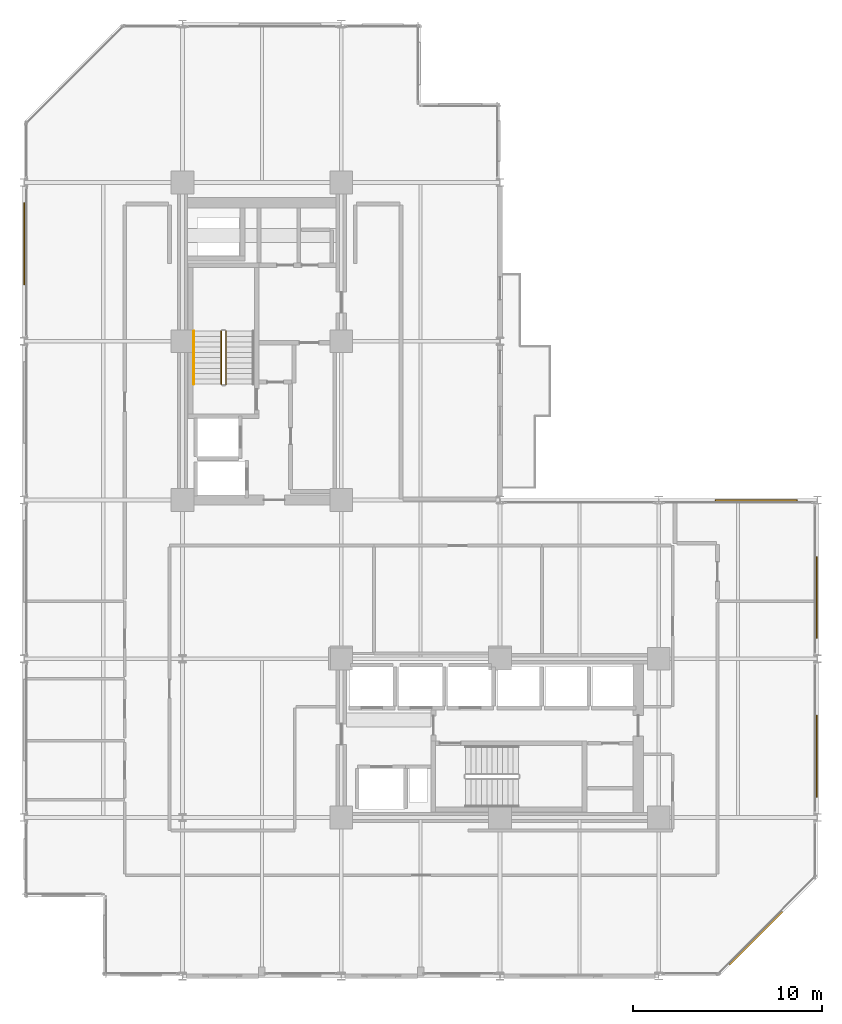
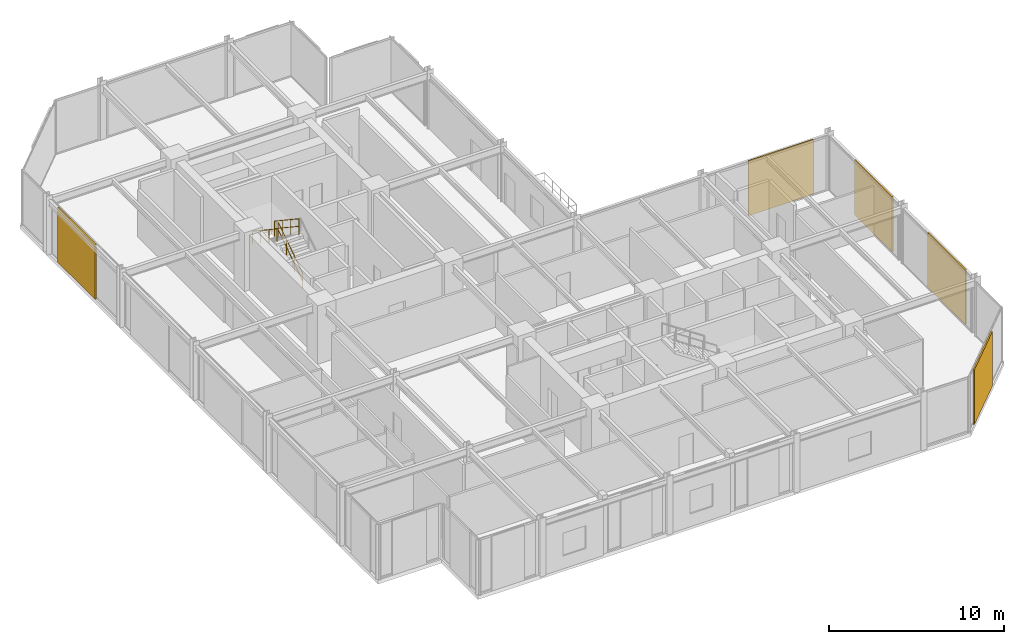
# One storey, part 28 of 29: 5 coverings, 3 railings.
"""IFC4 building model written with IfcOpenShell, lengths in metres."""

from ifc_helpers import new_model, si_unit, direction, frame, origin, origin_2d, place, context, subcontext, project, spatial, rectangle, circle, extrude, material, layer, layer_set, type_object, element, save


model = new_model("IFC4")

# Units and contexts
model_context = context("Model", 3, precision=1e-05, world=origin(), true_north=direction((0.0, 1.0)))
body_context = subcontext(model_context, "Body", "Model", "MODEL_VIEW")
ifc_project = project(units=[si_unit("LENGTHUNIT", "METRE"), si_unit("AREAUNIT", "SQUARE_METRE"), si_unit("VOLUMEUNIT", "CUBIC_METRE"), si_unit("PLANEANGLEUNIT", "RADIAN"), si_unit("MASSUNIT", "GRAM", prefix="KILO")], contexts=[model_context])

# Site, building, storey
site_placement = place(None, origin())
site = spatial("IfcSite", under=ifc_project, at=site_placement, CompositionType="ELEMENT")
building_placement = place(site_placement, origin())
building = spatial("IfcBuilding", under=site, at=building_placement, Name="Nerrivon Quay Data Exchange", CompositionType="ELEMENT")
storey_placement = place(building_placement, frame((0.0, 0.0, 145.89990234375)))
storey = spatial("IfcBuildingStorey", under=building, at=storey_placement, Name="L34", CompositionType="ELEMENT", Elevation=145.89990234375)

# Coverings
ifc_material_1 = material(Name="Architectural terracotta ceramic", Category="masonry")
ifc_layer = layer(ifc_material_1, 0.090087890625)
ifc_layer_set = layer_set([ifc_layer], Name="Architectural terracotta ceramic")
covering_type = type_object("IfcCoveringType", Name="COV-SCR-TERR", PredefinedType="CLADDING", material=ifc_layer_set)
covering_placement = place(storey_placement, frame((38.744140625, 2.0078125, 0.0), z_axis=(0.0, 0.0, 1.0), x_axis=(-0.707106781187, -0.707106781187, 0.0)))
element("IfcCovering", 1, at=covering_placement, inside=storey, type_object=covering_type, Name="L34 Perforated Terracotta SOLAR SCREEN Cassette", PredefinedType="CLADDING", context=body_context, shape_type="SweptSolid", body=[
    extrude(rectangle(XDim=3.970947265625, YDim=0.090087890625, at=origin_2d()), origin(), (0.0, 0.0, 1.0), 3.824951171875),
])
for number, where, z_axis, x_axis, name in (
    (2, (0.044921875, 38.760009765625, 0.0), (0.0, 0.0, 1.0), (0.0, 1.0, 0.0), "L34 Perforated Terracotta SOLAR SCREEN Cassette"),
    (3, (38.760009765625, 25.155029296875, 0.0), (0.0, 0.0, 1.0), (1.0, 0.0, 0.0), "L34 Perforated Terracotta SOLAR SCREEN Cassette"),
    (4, (41.955078125, 20.0400390625, 0.0), (0.0, 0.0, 1.0), (0.0, -1.0, 0.0), "L34 Perforated Terracotta SOLAR SCREEN Cassette"),
    (5, (41.955078125, 11.639892578125, 0.0), (0.0, 0.0, 1.0), (0.0, -1.0, 0.0), "L34 Perforated Terracotta SOLAR SCREEN Cassette"),
):
    element("IfcCovering", number, at=place(storey_placement, frame(where, z_axis=z_axis, x_axis=x_axis)), inside=storey, type_object=covering_type, Name=name, PredefinedType="CLADDING", context=body_context, shape_type="SweptSolid", body=[
        extrude(rectangle(XDim=4.320068359375, YDim=0.090087890625, at=origin_2d()), origin(), (0.0, 0.0, 1.0), 3.824951171875),
    ])

# Railings
ifc_material_2 = material(Name="Steel Grade C350L0 (350 MPa)", Category="steel")
railing_type_1 = type_object("IfcRailingType", Name="RAIL-HAND-HR1", PredefinedType="HANDRAIL", material=ifc_material_2)
railing_1_placement = place(storey_placement, frame((9.0, 34.1298828125, 2.236572265625)))
element("IfcRailing", 6, at=railing_1_placement, inside=storey, type_object=railing_type_1, Name="L34 ST01 stair handrail 2", PredefinedType="HANDRAIL", context=body_context, shape_type="SweptSolid", body=[
    extrude(circle(Radius=0.02392578125, at=origin_2d()), frame((0.0, 0.0, 0.8759765625), z_axis=(0.0, -0.832463268671, 0.554080234545), x_axis=(1.0, 0.0, 0.0)), (0.0, 0.0, 1.0), 3.36328125),
    extrude(circle(Radius=0.02099609375, at=origin_2d()), origin(), (0.0, 0.0, 1.0), 0.851806640625),
    extrude(circle(Radius=0.02099609375, at=origin_2d()), frame((0.0, -0.933349609375, 0.62109375)), (0.0, 0.0, 1.0), 0.851806640625),
    extrude(circle(Radius=0.02099609375, at=origin_2d()), frame((0.0, -1.866455078125, 1.242431640625)), (0.0, 0.0, 1.0), 0.851806640625),
    extrude(circle(Radius=0.02099609375, at=origin_2d()), frame((0.0, -2.7998046875, 1.863525390625)), (0.0, 0.0, 1.0), 0.851806640625),
])
railing_type_2 = type_object("IfcRailingType", Name="RAIL-STAIR-GR1", PredefinedType="BALUSTRADE", material=ifc_material_2)
railing_2_placement = place(storey_placement, frame((10.699951171875, 31.330078125, 0.1865234375)))
element("IfcRailing", 7, at=railing_2_placement, inside=storey, type_object=railing_type_2, Name="L34 ST01 stair guard 1", PredefinedType="BALUSTRADE", context=body_context, shape_type="SweptSolid", body=[
    extrude(circle(Radius=0.02392578125, at=origin_2d()), frame((0.0, 0.0, 1.076171875), z_axis=(0.0, 0.832463268671, 0.554080234545), x_axis=(-1.0, 0.0, 0.0)), (0.0, 0.0, 1.0), 3.36328125),
    extrude(circle(Radius=0.02392578125, at=origin_2d()), frame((0.0, 0.0, 0.550048828125), z_axis=(0.0, 0.832463268671, 0.554080234545), x_axis=(-1.0, 0.0, 0.0)), (0.0, 0.0, 1.0), 3.36328125),
    extrude(circle(Radius=0.02099609375, at=origin_2d()), origin(), (0.0, 0.0, 1.0), 1.052001953125),
    extrude(circle(Radius=0.02099609375, at=origin_2d()), frame((0.0, 0.933349609375, 0.62109375)), (0.0, 0.0, 1.0), 1.052001953125),
    extrude(circle(Radius=0.02099609375, at=origin_2d()), frame((0.0, 1.866455078125, 1.242431640625)), (0.0, 0.0, 1.0), 1.052001953125),
    extrude(circle(Radius=0.02099609375, at=origin_2d()), frame((0.0, 2.7998046875, 1.863525390625)), (0.0, 0.0, 1.0), 1.052001953125),
])
railing_3_placement = place(storey_placement, frame((10.449951171875, 34.1298828125, 2.236572265625)))
element("IfcRailing", 8, at=railing_3_placement, inside=storey, type_object=railing_type_2, Name="L34 ST01 stair guard 3", PredefinedType="BALUSTRADE", context=body_context, shape_type="SweptSolid", body=[
    extrude(circle(Radius=0.02392578125, at=origin_2d()), frame((0.0, 0.0, 1.076171875), z_axis=(0.0, -0.832463268671, 0.554080234545), x_axis=(1.0, 0.0, 0.0)), (0.0, 0.0, 1.0), 3.36328125),
    extrude(circle(Radius=0.02392578125, at=origin_2d()), frame((0.0, 0.0, 0.550048828125), z_axis=(0.0, -0.832463268671, 0.554080234545), x_axis=(1.0, 0.0, 0.0)), (0.0, 0.0, 1.0), 3.36328125),
    extrude(circle(Radius=0.02099609375, at=origin_2d()), origin(), (0.0, 0.0, 1.0), 1.052001953125),
    extrude(circle(Radius=0.02099609375, at=origin_2d()), frame((0.0, -0.933349609375, 0.62109375)), (0.0, 0.0, 1.0), 1.052001953125),
    extrude(circle(Radius=0.02099609375, at=origin_2d()), frame((0.0, -1.866455078125, 1.242431640625)), (0.0, 0.0, 1.0), 1.052001953125),
    extrude(circle(Radius=0.02099609375, at=origin_2d()), frame((0.0, -2.7998046875, 1.863525390625)), (0.0, 0.0, 1.0), 1.052001953125),
])

save(model, "model.ifc")
